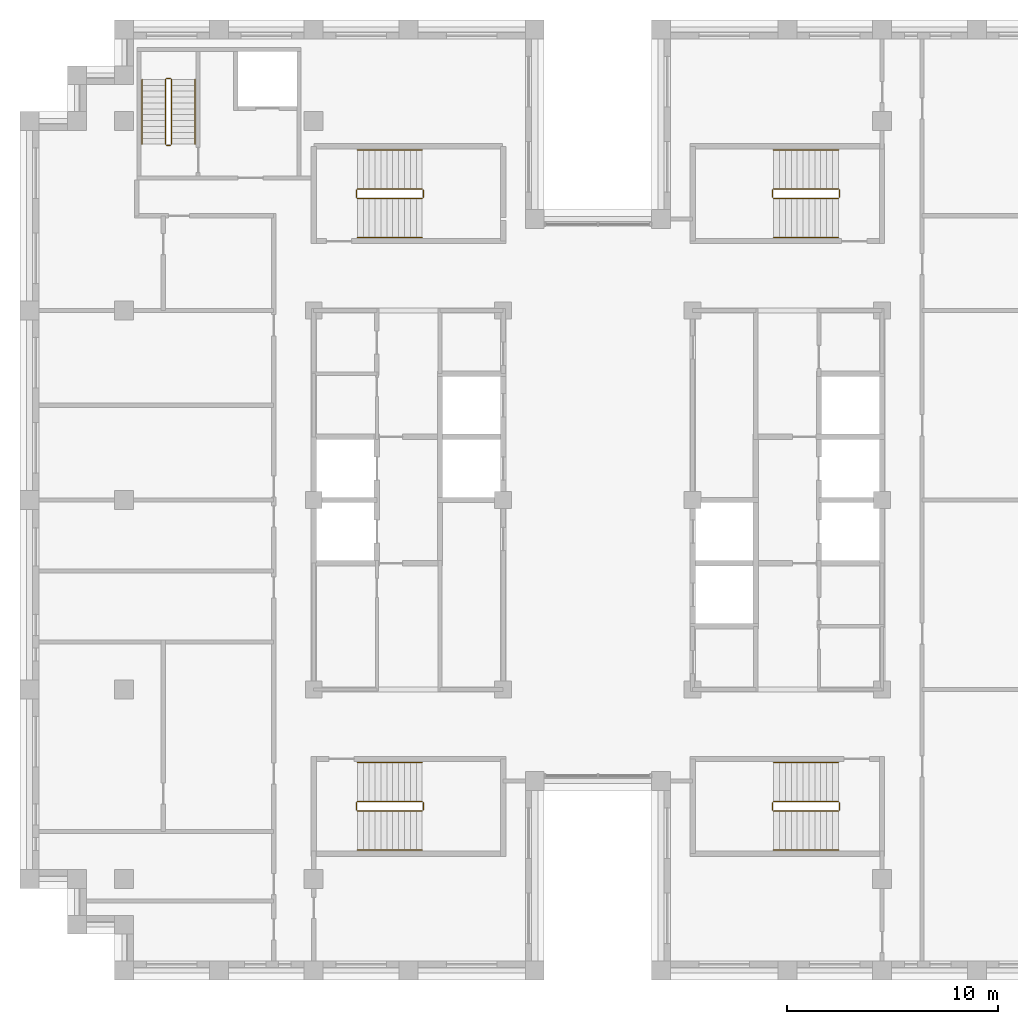
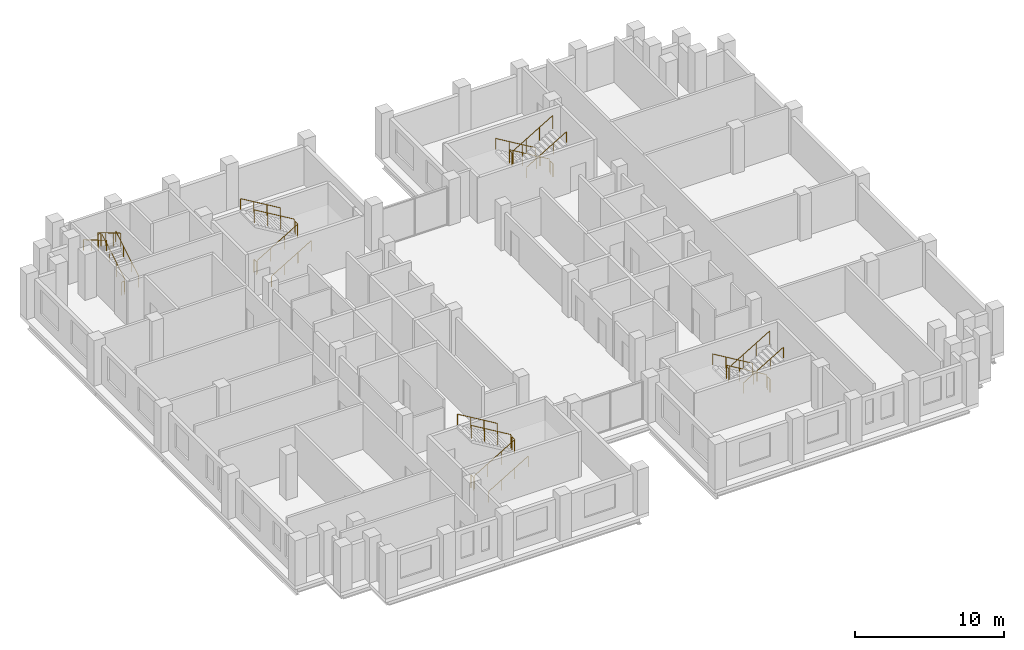
# One storey, part 13 of 13: 5 railings.
"""IFC4 building model written with IfcOpenShell, lengths in metres."""

from ifc_helpers import new_model, si_unit, direction, frame, origin, origin_2d, place, context, subcontext, project, spatial, circle, extrude, material, type_object, element, save


model = new_model("IFC4")

# Units and contexts
model_context = context("Model", 3, precision=1e-05, world=origin(), true_north=direction((0.0, 1.0)))
body_context = subcontext(model_context, "Body", "Model", "MODEL_VIEW")
ifc_project = project(units=[si_unit("LENGTHUNIT", "METRE"), si_unit("AREAUNIT", "SQUARE_METRE"), si_unit("VOLUMEUNIT", "CUBIC_METRE"), si_unit("PLANEANGLEUNIT", "RADIAN"), si_unit("MASSUNIT", "GRAM", prefix="KILO")], contexts=[model_context])

# Site, building, storey
site_placement = place(None, origin())
site = spatial("IfcSite", under=ifc_project, at=site_placement, CompositionType="ELEMENT")
building_placement = place(site_placement, origin())
building = spatial("IfcBuilding", under=site, at=building_placement, Name="Corbelhall Arena Tower", CompositionType="ELEMENT")
storey_placement = place(building_placement, frame((0.0, 0.0, 282.0)))
storey = spatial("IfcBuildingStorey", under=building, at=storey_placement, Name="L61", CompositionType="ELEMENT", Elevation=282.0)

# Railings
ifc_material = material(Name="Steel ASTM A500 Gr C", Category="steel")
railing_type = type_object("IfcRailingType", Name="IN-GD-1100", PredefinedType="GUARDRAIL", material=ifc_material)
railing_1_placement = place(storey_placement, frame((-11.425048828125, 14.324951171875, 0.166748046875)))
element("IfcRailing", 1, at=railing_1_placement, inside=storey, type_object=railing_type, Name="L61 ST1 stair guards and handrails", PredefinedType="GUARDRAIL", context=body_context, shape_type="SweptSolid", body=[
    extrude(circle(Radius=0.02392578125, at=origin_2d()), frame((0.0, 0.0, 1.076171875), z_axis=(0.859308565015, 0.0, 0.511457515432), x_axis=(0.0, 1.0, 0.0)), (0.0, 0.0, 1.0), 3.58447265625),
    extrude(circle(Radius=0.02392578125, at=origin_2d()), frame((3.130126953125, 0.050048828125, 2.9091796875), z_axis=(0.0, 1.0, 0.0), x_axis=(-1.0, 0.0, 0.0)), (0.0, 0.0, 1.0), 0.35009765625),
    extrude(circle(Radius=0.02392578125, at=origin_2d()), frame((3.080078125, 0.449951171875, 3.076171875), z_axis=(-0.859308565015, 0.0, 0.511457515432), x_axis=(0.0, -1.0, 0.0)), (0.0, 0.0, 1.0), 3.58447265625),
    extrude(circle(Radius=0.02392578125, at=origin_2d()), frame((-0.050048828125, 0.050048828125, 0.9091796875), z_axis=(0.0, 1.0, 0.0), x_axis=(-1.0, 0.0, 0.0)), (0.0, 0.0, 1.0), 0.35009765625),
    extrude(circle(Radius=0.02392578125, at=origin_2d()), frame((0.0, -1.849853515625, 0.8759765625), z_axis=(0.859308565015, 0.0, 0.511457515432), x_axis=(0.0, 1.0, 0.0)), (0.0, 0.0, 1.0), 3.58447265625),
    extrude(circle(Radius=0.02392578125, at=origin_2d()), frame((3.080078125, 2.300048828125, 2.8759765625), z_axis=(-0.859308565015, 0.0, 0.511457515432), x_axis=(0.0, -1.0, 0.0)), (0.0, 0.0, 1.0), 3.58447265625),
    extrude(circle(Radius=0.02099609375, at=origin_2d()), origin(), (0.0, 0.0, 1.0), 1.052001953125),
    extrude(circle(Radius=0.02099609375, at=origin_2d()), frame((1.026611328125, 0.0, 0.611083984375)), (0.0, 0.0, 1.0), 1.052001953125),
    extrude(circle(Radius=0.02099609375, at=origin_2d()), frame((2.053466796875, 0.0, 1.22216796875)), (0.0, 0.0, 1.0), 1.052001953125),
    extrude(circle(Radius=0.02099609375, at=origin_2d()), frame((3.080078125, 0.0, 1.833251953125)), (0.0, 0.0, 1.0), 1.052001953125),
    extrude(circle(Radius=0.02099609375, at=origin_2d()), frame((3.130126953125, 0.050048828125, 1.833251953125)), (0.0, 0.0, 1.0), 1.052001953125),
    extrude(circle(Radius=0.02099609375, at=origin_2d()), frame((3.130126953125, 0.400146484375, 1.833251953125)), (0.0, 0.0, 1.0), 1.052001953125),
    extrude(circle(Radius=0.02099609375, at=origin_2d()), frame((3.080078125, 0.449951171875, 2.0)), (0.0, 0.0, 1.0), 1.052001953125),
    extrude(circle(Radius=0.02099609375, at=origin_2d()), frame((2.053466796875, 0.449951171875, 2.611083984375)), (0.0, 0.0, 1.0), 1.052001953125),
    extrude(circle(Radius=0.02099609375, at=origin_2d()), frame((1.026611328125, 0.449951171875, 3.22216796875)), (0.0, 0.0, 1.0), 1.052001953125),
    extrude(circle(Radius=0.02099609375, at=origin_2d()), frame((0.0, 0.449951171875, 3.833251953125)), (0.0, 0.0, 1.0), 1.052001953125),
    extrude(circle(Radius=0.02099609375, at=origin_2d()), frame((-0.050048828125, 0.050048828125, -0.166748046875)), (0.0, 0.0, 1.0), 1.052001953125),
    extrude(circle(Radius=0.02099609375, at=origin_2d()), frame((-0.050048828125, 0.400146484375, -0.166748046875)), (0.0, 0.0, 1.0), 1.052001953125),
    extrude(circle(Radius=0.02099609375, at=origin_2d()), frame((0.0, -1.849853515625, 0.0)), (0.0, 0.0, 1.0), 0.851806640625),
    extrude(circle(Radius=0.02099609375, at=origin_2d()), frame((1.026611328125, -1.849853515625, 0.611083984375)), (0.0, 0.0, 1.0), 0.851806640625),
    extrude(circle(Radius=0.02099609375, at=origin_2d()), frame((2.053466796875, -1.849853515625, 1.22216796875)), (0.0, 0.0, 1.0), 0.851806640625),
    extrude(circle(Radius=0.02099609375, at=origin_2d()), frame((3.080078125, -1.849853515625, 1.833251953125)), (0.0, 0.0, 1.0), 0.851806640625),
    extrude(circle(Radius=0.02099609375, at=origin_2d()), frame((3.080078125, 2.300048828125, 2.0)), (0.0, 0.0, 1.0), 0.851806640625),
    extrude(circle(Radius=0.02099609375, at=origin_2d()), frame((2.053466796875, 2.300048828125, 2.611083984375)), (0.0, 0.0, 1.0), 0.851806640625),
    extrude(circle(Radius=0.02099609375, at=origin_2d()), frame((1.026611328125, 2.300048828125, 3.22216796875)), (0.0, 0.0, 1.0), 0.851806640625),
    extrude(circle(Radius=0.02099609375, at=origin_2d()), frame((0.0, 2.300048828125, 3.833251953125)), (0.0, 0.0, 1.0), 0.851806640625),
])
railing_2_placement = place(storey_placement, frame((-11.425048828125, -14.77490234375, 0.166748046875)))
element("IfcRailing", 2, at=railing_2_placement, inside=storey, type_object=railing_type, Name="L61 ST2 stair guards and handrails", PredefinedType="GUARDRAIL", context=body_context, shape_type="SweptSolid", body=[
    extrude(circle(Radius=0.02392578125, at=origin_2d()), frame((0.0, 0.0, 1.076171875), z_axis=(0.859308565015, 0.0, 0.511457515432), x_axis=(0.0, 1.0, 0.0)), (0.0, 0.0, 1.0), 3.58447265625),
    extrude(circle(Radius=0.02392578125, at=origin_2d()), frame((3.130126953125, 0.0498046875, 2.9091796875), z_axis=(0.0, 1.0, 0.0), x_axis=(-1.0, 0.0, 0.0)), (0.0, 0.0, 1.0), 0.35009765625),
    extrude(circle(Radius=0.02392578125, at=origin_2d()), frame((3.080078125, 0.449951171875, 3.076171875), z_axis=(-0.859308565015, 0.0, 0.511457515432), x_axis=(0.0, -1.0, 0.0)), (0.0, 0.0, 1.0), 3.58447265625),
    extrude(circle(Radius=0.02392578125, at=origin_2d()), frame((-0.050048828125, 0.0498046875, 0.9091796875), z_axis=(0.0, 1.0, 0.0), x_axis=(-1.0, 0.0, 0.0)), (0.0, 0.0, 1.0), 0.35009765625),
    extrude(circle(Radius=0.02392578125, at=origin_2d()), frame((0.0, -1.85009765625, 0.8759765625), z_axis=(0.859308565015, 0.0, 0.511457515432), x_axis=(0.0, 1.0, 0.0)), (0.0, 0.0, 1.0), 3.58447265625),
    extrude(circle(Radius=0.02392578125, at=origin_2d()), frame((3.080078125, 2.2998046875, 2.8759765625), z_axis=(-0.859308565015, 0.0, 0.511457515432), x_axis=(0.0, -1.0, 0.0)), (0.0, 0.0, 1.0), 3.58447265625),
    extrude(circle(Radius=0.02099609375, at=origin_2d()), origin(), (0.0, 0.0, 1.0), 1.052001953125),
    extrude(circle(Radius=0.02099609375, at=origin_2d()), frame((1.026611328125, 0.0, 0.611083984375)), (0.0, 0.0, 1.0), 1.052001953125),
    extrude(circle(Radius=0.02099609375, at=origin_2d()), frame((2.053466796875, 0.0, 1.22216796875)), (0.0, 0.0, 1.0), 1.052001953125),
    extrude(circle(Radius=0.02099609375, at=origin_2d()), frame((3.080078125, 0.0, 1.833251953125)), (0.0, 0.0, 1.0), 1.052001953125),
    extrude(circle(Radius=0.02099609375, at=origin_2d()), frame((3.130126953125, 0.0498046875, 1.833251953125)), (0.0, 0.0, 1.0), 1.052001953125),
    extrude(circle(Radius=0.02099609375, at=origin_2d()), frame((3.130126953125, 0.39990234375, 1.833251953125)), (0.0, 0.0, 1.0), 1.052001953125),
    extrude(circle(Radius=0.02099609375, at=origin_2d()), frame((3.080078125, 0.449951171875, 2.0)), (0.0, 0.0, 1.0), 1.052001953125),
    extrude(circle(Radius=0.02099609375, at=origin_2d()), frame((2.053466796875, 0.449951171875, 2.611083984375)), (0.0, 0.0, 1.0), 1.052001953125),
    extrude(circle(Radius=0.02099609375, at=origin_2d()), frame((1.026611328125, 0.449951171875, 3.22216796875)), (0.0, 0.0, 1.0), 1.052001953125),
    extrude(circle(Radius=0.02099609375, at=origin_2d()), frame((0.0, 0.449951171875, 3.833251953125)), (0.0, 0.0, 1.0), 1.052001953125),
    extrude(circle(Radius=0.02099609375, at=origin_2d()), frame((-0.050048828125, 0.0498046875, -0.166748046875)), (0.0, 0.0, 1.0), 1.052001953125),
    extrude(circle(Radius=0.02099609375, at=origin_2d()), frame((-0.050048828125, 0.39990234375, -0.166748046875)), (0.0, 0.0, 1.0), 1.052001953125),
    extrude(circle(Radius=0.02099609375, at=origin_2d()), frame((0.0, -1.85009765625, 0.0)), (0.0, 0.0, 1.0), 0.851806640625),
    extrude(circle(Radius=0.02099609375, at=origin_2d()), frame((1.026611328125, -1.85009765625, 0.611083984375)), (0.0, 0.0, 1.0), 0.851806640625),
    extrude(circle(Radius=0.02099609375, at=origin_2d()), frame((2.053466796875, -1.85009765625, 1.22216796875)), (0.0, 0.0, 1.0), 0.851806640625),
    extrude(circle(Radius=0.02099609375, at=origin_2d()), frame((3.080078125, -1.85009765625, 1.833251953125)), (0.0, 0.0, 1.0), 0.851806640625),
    extrude(circle(Radius=0.02099609375, at=origin_2d()), frame((3.080078125, 2.2998046875, 2.0)), (0.0, 0.0, 1.0), 0.851806640625),
    extrude(circle(Radius=0.02099609375, at=origin_2d()), frame((2.053466796875, 2.2998046875, 2.611083984375)), (0.0, 0.0, 1.0), 0.851806640625),
    extrude(circle(Radius=0.02099609375, at=origin_2d()), frame((1.026611328125, 2.2998046875, 3.22216796875)), (0.0, 0.0, 1.0), 0.851806640625),
    extrude(circle(Radius=0.02099609375, at=origin_2d()), frame((0.0, 2.2998046875, 3.833251953125)), (0.0, 0.0, 1.0), 0.851806640625),
])
railing_3_placement = place(storey_placement, frame((11.425048828125, 14.77490234375, 0.166748046875)))
element("IfcRailing", 3, at=railing_3_placement, inside=storey, type_object=railing_type, Name="L61 ST3 stair guards and handrails", PredefinedType="GUARDRAIL", context=body_context, shape_type="SweptSolid", body=[
    extrude(circle(Radius=0.02392578125, at=origin_2d()), frame((0.0, 0.0, 1.076171875), z_axis=(-0.859308565015, 0.0, 0.511457515432), x_axis=(0.0, -1.0, 0.0)), (0.0, 0.0, 1.0), 3.58447265625),
    extrude(circle(Radius=0.02392578125, at=origin_2d()), frame((-3.130126953125, -0.0498046875, 2.9091796875), z_axis=(0.0, -1.0, 0.0), x_axis=(1.0, 0.0, 0.0)), (0.0, 0.0, 1.0), 0.35009765625),
    extrude(circle(Radius=0.02392578125, at=origin_2d()), frame((-3.080078125, -0.449951171875, 3.076171875), z_axis=(0.859308565015, 0.0, 0.511457515432), x_axis=(0.0, 1.0, 0.0)), (0.0, 0.0, 1.0), 3.58447265625),
    extrude(circle(Radius=0.02392578125, at=origin_2d()), frame((0.050048828125, -0.0498046875, 0.9091796875), z_axis=(0.0, -1.0, 0.0), x_axis=(1.0, 0.0, 0.0)), (0.0, 0.0, 1.0), 0.35009765625),
    extrude(circle(Radius=0.02392578125, at=origin_2d()), frame((0.0, 1.85009765625, 0.8759765625), z_axis=(-0.859308565015, 0.0, 0.511457515432), x_axis=(0.0, -1.0, 0.0)), (0.0, 0.0, 1.0), 3.58447265625),
    extrude(circle(Radius=0.02392578125, at=origin_2d()), frame((-3.080078125, -2.2998046875, 2.8759765625), z_axis=(0.859308565015, 0.0, 0.511457515432), x_axis=(0.0, 1.0, 0.0)), (0.0, 0.0, 1.0), 3.58447265625),
    extrude(circle(Radius=0.02099609375, at=origin_2d()), origin(), (0.0, 0.0, 1.0), 1.052001953125),
    extrude(circle(Radius=0.02099609375, at=origin_2d()), frame((-1.026611328125, 0.0, 0.611083984375)), (0.0, 0.0, 1.0), 1.052001953125),
    extrude(circle(Radius=0.02099609375, at=origin_2d()), frame((-2.053466796875, 0.0, 1.22216796875)), (0.0, 0.0, 1.0), 1.052001953125),
    extrude(circle(Radius=0.02099609375, at=origin_2d()), frame((-3.080078125, 0.0, 1.833251953125)), (0.0, 0.0, 1.0), 1.052001953125),
    extrude(circle(Radius=0.02099609375, at=origin_2d()), frame((-3.130126953125, -0.0498046875, 1.833251953125)), (0.0, 0.0, 1.0), 1.052001953125),
    extrude(circle(Radius=0.02099609375, at=origin_2d()), frame((-3.130126953125, -0.39990234375, 1.833251953125)), (0.0, 0.0, 1.0), 1.052001953125),
    extrude(circle(Radius=0.02099609375, at=origin_2d()), frame((-3.080078125, -0.449951171875, 2.0)), (0.0, 0.0, 1.0), 1.052001953125),
    extrude(circle(Radius=0.02099609375, at=origin_2d()), frame((-2.053466796875, -0.449951171875, 2.611083984375)), (0.0, 0.0, 1.0), 1.052001953125),
    extrude(circle(Radius=0.02099609375, at=origin_2d()), frame((-1.026611328125, -0.449951171875, 3.22216796875)), (0.0, 0.0, 1.0), 1.052001953125),
    extrude(circle(Radius=0.02099609375, at=origin_2d()), frame((0.0, -0.449951171875, 3.833251953125)), (0.0, 0.0, 1.0), 1.052001953125),
    extrude(circle(Radius=0.02099609375, at=origin_2d()), frame((0.050048828125, -0.0498046875, -0.166748046875)), (0.0, 0.0, 1.0), 1.052001953125),
    extrude(circle(Radius=0.02099609375, at=origin_2d()), frame((0.050048828125, -0.39990234375, -0.166748046875)), (0.0, 0.0, 1.0), 1.052001953125),
    extrude(circle(Radius=0.02099609375, at=origin_2d()), frame((0.0, 1.85009765625, 0.0)), (0.0, 0.0, 1.0), 0.851806640625),
    extrude(circle(Radius=0.02099609375, at=origin_2d()), frame((-1.026611328125, 1.85009765625, 0.611083984375)), (0.0, 0.0, 1.0), 0.851806640625),
    extrude(circle(Radius=0.02099609375, at=origin_2d()), frame((-2.053466796875, 1.85009765625, 1.22216796875)), (0.0, 0.0, 1.0), 0.851806640625),
    extrude(circle(Radius=0.02099609375, at=origin_2d()), frame((-3.080078125, 1.85009765625, 1.833251953125)), (0.0, 0.0, 1.0), 0.851806640625),
    extrude(circle(Radius=0.02099609375, at=origin_2d()), frame((-3.080078125, -2.2998046875, 2.0)), (0.0, 0.0, 1.0), 0.851806640625),
    extrude(circle(Radius=0.02099609375, at=origin_2d()), frame((-2.053466796875, -2.2998046875, 2.611083984375)), (0.0, 0.0, 1.0), 0.851806640625),
    extrude(circle(Radius=0.02099609375, at=origin_2d()), frame((-1.026611328125, -2.2998046875, 3.22216796875)), (0.0, 0.0, 1.0), 0.851806640625),
    extrude(circle(Radius=0.02099609375, at=origin_2d()), frame((0.0, -2.2998046875, 3.833251953125)), (0.0, 0.0, 1.0), 0.851806640625),
])
railing_4_placement = place(storey_placement, frame((11.425048828125, -14.324951171875, 0.166748046875)))
element("IfcRailing", 4, at=railing_4_placement, inside=storey, type_object=railing_type, Name="L61 ST4 stair guards and handrails", PredefinedType="GUARDRAIL", context=body_context, shape_type="SweptSolid", body=[
    extrude(circle(Radius=0.02392578125, at=origin_2d()), frame((0.0, 0.0, 1.076171875), z_axis=(-0.859308565015, 0.0, 0.511457515432), x_axis=(0.0, -1.0, 0.0)), (0.0, 0.0, 1.0), 3.58447265625),
    extrude(circle(Radius=0.02392578125, at=origin_2d()), frame((-3.130126953125, -0.050048828125, 2.9091796875), z_axis=(0.0, -1.0, 0.0), x_axis=(1.0, 0.0, 0.0)), (0.0, 0.0, 1.0), 0.35009765625),
    extrude(circle(Radius=0.02392578125, at=origin_2d()), frame((-3.080078125, -0.449951171875, 3.076171875), z_axis=(0.859308565015, 0.0, 0.511457515432), x_axis=(0.0, 1.0, 0.0)), (0.0, 0.0, 1.0), 3.58447265625),
    extrude(circle(Radius=0.02392578125, at=origin_2d()), frame((0.050048828125, -0.050048828125, 0.9091796875), z_axis=(0.0, -1.0, 0.0), x_axis=(1.0, 0.0, 0.0)), (0.0, 0.0, 1.0), 0.35009765625),
    extrude(circle(Radius=0.02392578125, at=origin_2d()), frame((0.0, 1.849853515625, 0.8759765625), z_axis=(-0.859308565015, 0.0, 0.511457515432), x_axis=(0.0, -1.0, 0.0)), (0.0, 0.0, 1.0), 3.58447265625),
    extrude(circle(Radius=0.02392578125, at=origin_2d()), frame((-3.080078125, -2.300048828125, 2.8759765625), z_axis=(0.859308565015, 0.0, 0.511457515432), x_axis=(0.0, 1.0, 0.0)), (0.0, 0.0, 1.0), 3.58447265625),
    extrude(circle(Radius=0.02099609375, at=origin_2d()), origin(), (0.0, 0.0, 1.0), 1.052001953125),
    extrude(circle(Radius=0.02099609375, at=origin_2d()), frame((-1.026611328125, 0.0, 0.611083984375)), (0.0, 0.0, 1.0), 1.052001953125),
    extrude(circle(Radius=0.02099609375, at=origin_2d()), frame((-2.053466796875, 0.0, 1.22216796875)), (0.0, 0.0, 1.0), 1.052001953125),
    extrude(circle(Radius=0.02099609375, at=origin_2d()), frame((-3.080078125, 0.0, 1.833251953125)), (0.0, 0.0, 1.0), 1.052001953125),
    extrude(circle(Radius=0.02099609375, at=origin_2d()), frame((-3.130126953125, -0.050048828125, 1.833251953125)), (0.0, 0.0, 1.0), 1.052001953125),
    extrude(circle(Radius=0.02099609375, at=origin_2d()), frame((-3.130126953125, -0.400146484375, 1.833251953125)), (0.0, 0.0, 1.0), 1.052001953125),
    extrude(circle(Radius=0.02099609375, at=origin_2d()), frame((-3.080078125, -0.449951171875, 2.0)), (0.0, 0.0, 1.0), 1.052001953125),
    extrude(circle(Radius=0.02099609375, at=origin_2d()), frame((-2.053466796875, -0.449951171875, 2.611083984375)), (0.0, 0.0, 1.0), 1.052001953125),
    extrude(circle(Radius=0.02099609375, at=origin_2d()), frame((-1.026611328125, -0.449951171875, 3.22216796875)), (0.0, 0.0, 1.0), 1.052001953125),
    extrude(circle(Radius=0.02099609375, at=origin_2d()), frame((0.0, -0.449951171875, 3.833251953125)), (0.0, 0.0, 1.0), 1.052001953125),
    extrude(circle(Radius=0.02099609375, at=origin_2d()), frame((0.050048828125, -0.050048828125, -0.166748046875)), (0.0, 0.0, 1.0), 1.052001953125),
    extrude(circle(Radius=0.02099609375, at=origin_2d()), frame((0.050048828125, -0.400146484375, -0.166748046875)), (0.0, 0.0, 1.0), 1.052001953125),
    extrude(circle(Radius=0.02099609375, at=origin_2d()), frame((0.0, 1.849853515625, 0.0)), (0.0, 0.0, 1.0), 0.851806640625),
    extrude(circle(Radius=0.02099609375, at=origin_2d()), frame((-1.026611328125, 1.849853515625, 0.611083984375)), (0.0, 0.0, 1.0), 0.851806640625),
    extrude(circle(Radius=0.02099609375, at=origin_2d()), frame((-2.053466796875, 1.849853515625, 1.22216796875)), (0.0, 0.0, 1.0), 0.851806640625),
    extrude(circle(Radius=0.02099609375, at=origin_2d()), frame((-3.080078125, 1.849853515625, 1.833251953125)), (0.0, 0.0, 1.0), 0.851806640625),
    extrude(circle(Radius=0.02099609375, at=origin_2d()), frame((-3.080078125, -2.300048828125, 2.0)), (0.0, 0.0, 1.0), 0.851806640625),
    extrude(circle(Radius=0.02099609375, at=origin_2d()), frame((-2.053466796875, -2.300048828125, 2.611083984375)), (0.0, 0.0, 1.0), 0.851806640625),
    extrude(circle(Radius=0.02099609375, at=origin_2d()), frame((-1.026611328125, -2.300048828125, 3.22216796875)), (0.0, 0.0, 1.0), 0.851806640625),
    extrude(circle(Radius=0.02099609375, at=origin_2d()), frame((0.0, -2.300048828125, 3.833251953125)), (0.0, 0.0, 1.0), 0.851806640625),
])
railing_5_placement = place(storey_placement, frame((-20.2451171875, 16.89990234375, 0.166748046875)))
element("IfcRailing", 5, at=railing_5_placement, inside=storey, type_object=railing_type, Name="L61 ST5 stair guards and handrails", PredefinedType="GUARDRAIL", context=body_context, shape_type="SweptSolid", body=[
    extrude(circle(Radius=0.02392578125, at=origin_2d()), frame((0.0, 0.0, 1.076171875), z_axis=(0.0, 0.859308565015, 0.511457515432), x_axis=(-1.0, 0.0, 0.0)), (0.0, 0.0, 1.0), 3.58447265625),
    extrude(circle(Radius=0.02392578125, at=origin_2d()), frame((-0.0498046875, 3.130126953125, 2.9091796875), z_axis=(-1.0, 0.0, 0.0), x_axis=(0.0, -1.0, 0.0)), (0.0, 0.0, 1.0), 0.2001953125),
    extrude(circle(Radius=0.02392578125, at=origin_2d()), frame((-0.2998046875, 3.080078125, 3.076171875), z_axis=(0.0, -0.859308565015, 0.511457515432), x_axis=(1.0, 0.0, 0.0)), (0.0, 0.0, 1.0), 3.58447265625),
    extrude(circle(Radius=0.02392578125, at=origin_2d()), frame((-0.0498046875, -0.0498046875, 0.9091796875), z_axis=(-1.0, 0.0, 0.0), x_axis=(0.0, -1.0, 0.0)), (0.0, 0.0, 1.0), 0.2001953125),
    extrude(circle(Radius=0.02392578125, at=origin_2d()), frame((1.10009765625, 0.0, 0.8759765625), z_axis=(0.0, 0.859308565015, 0.511457515432), x_axis=(-1.0, 0.0, 0.0)), (0.0, 0.0, 1.0), 3.58447265625),
    extrude(circle(Radius=0.02392578125, at=origin_2d()), frame((-1.39990234375, 3.080078125, 2.8759765625), z_axis=(0.0, -0.859308565015, 0.511457515432), x_axis=(1.0, 0.0, 0.0)), (0.0, 0.0, 1.0), 3.58447265625),
    extrude(circle(Radius=0.02099609375, at=origin_2d()), origin(), (0.0, 0.0, 1.0), 1.052001953125),
    extrude(circle(Radius=0.02099609375, at=origin_2d()), frame((0.0, 1.026611328125, 0.611083984375)), (0.0, 0.0, 1.0), 1.052001953125),
    extrude(circle(Radius=0.02099609375, at=origin_2d()), frame((0.0, 2.053466796875, 1.22216796875)), (0.0, 0.0, 1.0), 1.052001953125),
    extrude(circle(Radius=0.02099609375, at=origin_2d()), frame((0.0, 3.080078125, 1.833251953125)), (0.0, 0.0, 1.0), 1.052001953125),
    extrude(circle(Radius=0.02099609375, at=origin_2d()), frame((-0.0498046875, 3.130126953125, 1.833251953125)), (0.0, 0.0, 1.0), 1.052001953125),
    extrude(circle(Radius=0.02099609375, at=origin_2d()), frame((-0.25, 3.130126953125, 1.833251953125)), (0.0, 0.0, 1.0), 1.052001953125),
    extrude(circle(Radius=0.02099609375, at=origin_2d()), frame((-0.2998046875, 3.080078125, 2.0)), (0.0, 0.0, 1.0), 1.052001953125),
    extrude(circle(Radius=0.02099609375, at=origin_2d()), frame((-0.2998046875, 2.053466796875, 2.611083984375)), (0.0, 0.0, 1.0), 1.052001953125),
    extrude(circle(Radius=0.02099609375, at=origin_2d()), frame((-0.2998046875, 1.026611328125, 3.22216796875)), (0.0, 0.0, 1.0), 1.052001953125),
    extrude(circle(Radius=0.02099609375, at=origin_2d()), frame((-0.2998046875, 0.0, 3.833251953125)), (0.0, 0.0, 1.0), 1.052001953125),
    extrude(circle(Radius=0.02099609375, at=origin_2d()), frame((-0.0498046875, -0.0498046875, -0.166748046875)), (0.0, 0.0, 1.0), 1.052001953125),
    extrude(circle(Radius=0.02099609375, at=origin_2d()), frame((-0.25, -0.0498046875, -0.166748046875)), (0.0, 0.0, 1.0), 1.052001953125),
    extrude(circle(Radius=0.02099609375, at=origin_2d()), frame((1.10009765625, 0.0, 0.0)), (0.0, 0.0, 1.0), 0.851806640625),
    extrude(circle(Radius=0.02099609375, at=origin_2d()), frame((1.10009765625, 1.026611328125, 0.611083984375)), (0.0, 0.0, 1.0), 0.851806640625),
    extrude(circle(Radius=0.02099609375, at=origin_2d()), frame((1.10009765625, 2.053466796875, 1.22216796875)), (0.0, 0.0, 1.0), 0.851806640625),
    extrude(circle(Radius=0.02099609375, at=origin_2d()), frame((1.10009765625, 3.080078125, 1.833251953125)), (0.0, 0.0, 1.0), 0.851806640625),
    extrude(circle(Radius=0.02099609375, at=origin_2d()), frame((-1.39990234375, 3.080078125, 2.0)), (0.0, 0.0, 1.0), 0.851806640625),
    extrude(circle(Radius=0.02099609375, at=origin_2d()), frame((-1.39990234375, 2.053466796875, 2.611083984375)), (0.0, 0.0, 1.0), 0.851806640625),
    extrude(circle(Radius=0.02099609375, at=origin_2d()), frame((-1.39990234375, 1.026611328125, 3.22216796875)), (0.0, 0.0, 1.0), 0.851806640625),
    extrude(circle(Radius=0.02099609375, at=origin_2d()), frame((-1.39990234375, 0.0, 3.833251953125)), (0.0, 0.0, 1.0), 0.851806640625),
])

save(model, "model.ifc")
